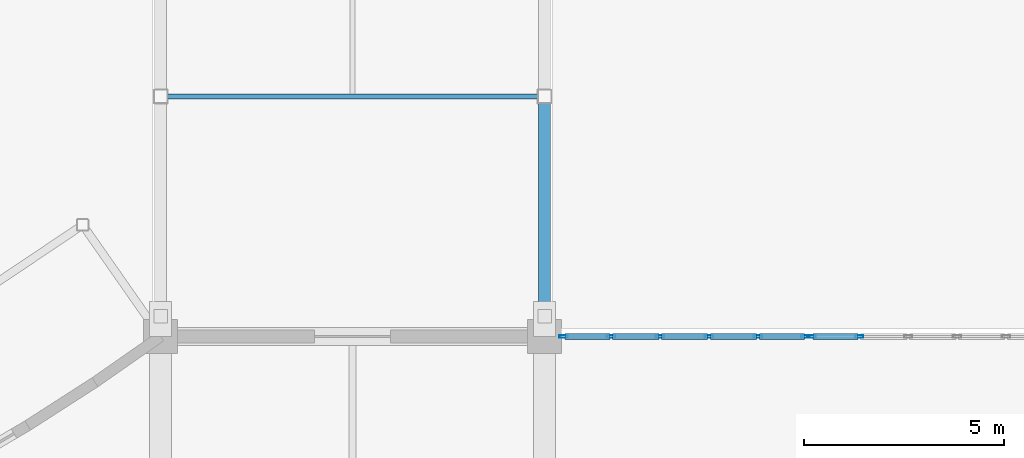
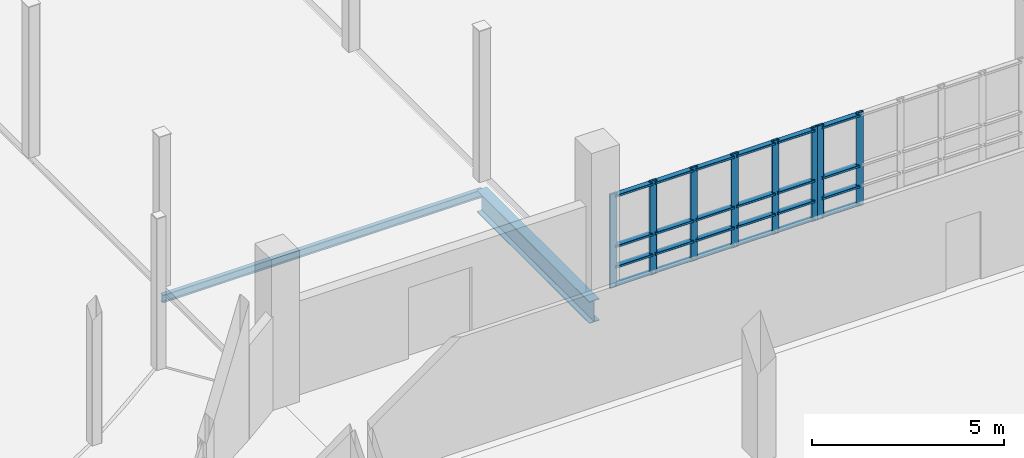
# One storey, part 36 of 97: 32 members, 2 beams, 2 elements without a shape of their own.
"""IFC4 building model written with IfcOpenShell, lengths in metres."""

from ifc_helpers import new_model, si_unit, direction, frame, origin, origin_2d, place, context, subcontext, project, spatial, hollow_rectangle, i_section, extrude, material, layer, layer_set, material_profile, profile_set, type_object, element, aggregate, save


model = new_model("IFC4")

# Units and contexts
model_context = context("Model", 3, precision=1e-05, world=origin(), true_north=direction((0.0, 1.0)))
body_context = subcontext(model_context, "Body", "Model", "MODEL_VIEW")
ifc_project = project(units=[si_unit("LENGTHUNIT", "METRE"), si_unit("AREAUNIT", "SQUARE_METRE"), si_unit("VOLUMEUNIT", "CUBIC_METRE"), si_unit("PLANEANGLEUNIT", "RADIAN"), si_unit("MASSUNIT", "GRAM", prefix="KILO")], contexts=[model_context])

# Site, building, storey
site_placement = place(None, origin())
site = spatial("IfcSite", under=ifc_project, at=site_placement, CompositionType="ELEMENT")
building_placement = place(site_placement, origin())
building = spatial("IfcBuilding", under=site, at=building_placement, Name="Kisaragi Civic Commons", CompositionType="ELEMENT")
storey_placement = place(building_placement, origin())
storey = spatial("IfcBuildingStorey", under=building, at=storey_placement, Name="L00", CompositionType="ELEMENT", Elevation=0.0)

# Curtain wall, members
ifc_material_1 = material(Name="Thermally broken anodized aluminium and low-E double glazing", Category="aluminium")
ifc_layer = layer(ifc_material_1, 0.2099609375, Name="Thermally broken anodized aluminium and low-E double glazing", Category="aluminium")
ifc_layer_set = layer_set([ifc_layer], Name="Thermally broken anodized aluminium and low-E double glazing")
curtain_wall_type = type_object("IfcCurtainWallType", Name="CW-02", PredefinedType="NOTDEFINED", material=ifc_layer_set)
curtain_wall_1_placement = place(storey_placement, origin())
curtain_wall_1 = element("IfcCurtainWall", 1, at=curtain_wall_1_placement, inside=storey, type_object=curtain_wall_type, Name="L00 curtain wall CW-02 CW-V3-L00-009", PredefinedType="NOTDEFINED")
ifc_material_profile_1 = material_profile(ifc_material_1, hollow_rectangle(XDim=0.070068359375, YDim=0.2099609375, WallThickness=0.0048828125, InnerFilletRadius=0.0048828125, OuterFilletRadius=0.010009765625, at=origin_2d()), Name="CWM-70x210x5", Category="aluminium")
ifc_profile_set_1 = profile_set([ifc_material_profile_1], Name="Thermally broken anodized aluminium and low-E double glazing")
member_type_1 = type_object("IfcMemberType", Name="CWM-03", PredefinedType="MULLION", material=ifc_profile_set_1)
member_1_placement = place(storey_placement, frame((133.675048828125, 25.199951171875, 0.0), z_axis=(0.0, 0.0, 1.0), x_axis=(0.0, 1.0, 0.0)))
member_1 = element("IfcMember", 2, at=member_1_placement, type_object=member_type_1, Name="CW-02 mullion 1", PredefinedType="MULLION", context=body_context, shape_type="SweptSolid", body=[
    extrude(hollow_rectangle(XDim=0.070068359375, YDim=0.2099609375, WallThickness=0.0048828125, InnerFilletRadius=0.0048828125, OuterFilletRadius=0.010009765625, at=origin_2d()), origin(), (0.0, 0.0, 1.0), 2.97998046875),
])
member_2_placement = place(storey_placement, frame((134.864013671875, 25.199951171875, 0.0), z_axis=(0.0, 0.0, 1.0), x_axis=(0.0, 1.0, 0.0)))
member_2 = element("IfcMember", 3, at=member_2_placement, type_object=member_type_1, Name="CW-02 mullion 2", PredefinedType="MULLION", context=body_context, shape_type="SweptSolid", body=[
    extrude(hollow_rectangle(XDim=0.070068359375, YDim=0.2099609375, WallThickness=0.0048828125, InnerFilletRadius=0.0048828125, OuterFilletRadius=0.010009765625, at=origin_2d()), origin(), (0.0, 0.0, 1.0), 2.97998046875),
])
member_3_placement = place(storey_placement, frame((136.087890625, 25.199951171875, 0.0), z_axis=(0.0, 0.0, 1.0), x_axis=(0.0, 1.0, 0.0)))
member_3 = element("IfcMember", 4, at=member_3_placement, type_object=member_type_1, Name="CW-02 mullion 3", PredefinedType="MULLION", context=body_context, shape_type="SweptSolid", body=[
    extrude(hollow_rectangle(XDim=0.070068359375, YDim=0.2099609375, WallThickness=0.0048828125, InnerFilletRadius=0.0048828125, OuterFilletRadius=0.010009765625, at=origin_2d()), origin(), (0.0, 0.0, 1.0), 2.97998046875),
])
member_4_placement = place(storey_placement, frame((137.31201171875, 25.199951171875, 0.0), z_axis=(0.0, 0.0, 1.0), x_axis=(0.0, 1.0, 0.0)))
member_4 = element("IfcMember", 5, at=member_4_placement, type_object=member_type_1, Name="CW-02 mullion 4", PredefinedType="MULLION", context=body_context, shape_type="SweptSolid", body=[
    extrude(hollow_rectangle(XDim=0.070068359375, YDim=0.2099609375, WallThickness=0.0048828125, InnerFilletRadius=0.0048828125, OuterFilletRadius=0.010009765625, at=origin_2d()), origin(), (0.0, 0.0, 1.0), 2.97998046875),
])
member_5_placement = place(storey_placement, frame((138.535888671875, 25.199951171875, 0.0), z_axis=(0.0, 0.0, 1.0), x_axis=(0.0, 1.0, 0.0)))
member_5 = element("IfcMember", 6, at=member_5_placement, type_object=member_type_1, Name="CW-02 mullion 5", PredefinedType="MULLION", context=body_context, shape_type="SweptSolid", body=[
    extrude(hollow_rectangle(XDim=0.070068359375, YDim=0.2099609375, WallThickness=0.0048828125, InnerFilletRadius=0.0048828125, OuterFilletRadius=0.010009765625, at=origin_2d()), origin(), (0.0, 0.0, 1.0), 2.97998046875),
])
member_6_placement = place(storey_placement, frame((139.72509765625, 25.199951171875, 0.0), z_axis=(0.0, 0.0, 1.0), x_axis=(0.0, 1.0, 0.0)))
member_6 = element("IfcMember", 7, at=member_6_placement, type_object=member_type_1, Name="CW-02 mullion 6", PredefinedType="MULLION", context=body_context, shape_type="SweptSolid", body=[
    extrude(hollow_rectangle(XDim=0.070068359375, YDim=0.2099609375, WallThickness=0.0048828125, InnerFilletRadius=0.0048828125, OuterFilletRadius=0.010009765625, at=origin_2d()), origin(), (0.0, 0.0, 1.0), 2.97998046875),
])

curtain_wall_2_placement = place(storey_placement, origin())
curtain_wall_2 = element("IfcCurtainWall", 8, at=curtain_wall_2_placement, inside=storey, type_object=curtain_wall_type, Name="L00 curtain wall CW-02 CW-V3-L00-010", PredefinedType="NOTDEFINED")
member_7_placement = place(storey_placement, frame((139.875, 25.199951171875, 0.0), z_axis=(0.0, 0.0, 1.0), x_axis=(0.0, 1.0, 0.0)))
member_7 = element("IfcMember", 9, at=member_7_placement, type_object=member_type_1, Name="CW-02 mullion 1", PredefinedType="MULLION", context=body_context, shape_type="SweptSolid", body=[
    extrude(hollow_rectangle(XDim=0.070068359375, YDim=0.2099609375, WallThickness=0.0048828125, InnerFilletRadius=0.0048828125, OuterFilletRadius=0.010009765625, at=origin_2d()), origin(), (0.0, 0.0, 1.0), 2.97998046875),
])
member_8_placement = place(storey_placement, frame((141.06396484375, 25.199951171875, 0.0), z_axis=(0.0, 0.0, 1.0), x_axis=(0.0, 1.0, 0.0)))
member_8 = element("IfcMember", 10, at=member_8_placement, type_object=member_type_1, Name="CW-02 mullion 2", PredefinedType="MULLION", context=body_context, shape_type="SweptSolid", body=[
    extrude(hollow_rectangle(XDim=0.070068359375, YDim=0.2099609375, WallThickness=0.0048828125, InnerFilletRadius=0.0048828125, OuterFilletRadius=0.010009765625, at=origin_2d()), origin(), (0.0, 0.0, 1.0), 2.97998046875),
])

# Member
ifc_material_profile_2 = material_profile(ifc_material_1, hollow_rectangle(XDim=0.159912109375, YDim=0.070068359375, WallThickness=0.0048828125, InnerFilletRadius=0.0048828125, OuterFilletRadius=0.010009765625, at=origin_2d()), Name="CWT-70x160x5", Category="aluminium")
ifc_profile_set_2 = profile_set([ifc_material_profile_2], Name="Thermally broken anodized aluminium and low-E double glazing")
member_type_2 = type_object("IfcMemberType", Name="CWT-03", PredefinedType="USERDEFINED", material=ifc_profile_set_2)
member_9_placement = place(storey_placement, frame((133.7099609375, 25.199951171875, 0.080078125), z_axis=(1.0, 0.0, 0.0), x_axis=(0.0, 1.0, 0.0)))
member_9 = element("IfcMember", 11, at=member_9_placement, type_object=member_type_2, Name="CW-02 transom 1.1", ObjectType="TRANSOM", PredefinedType="USERDEFINED", context=body_context, shape_type="SweptSolid", body=[
    extrude(hollow_rectangle(XDim=0.159912109375, YDim=0.070068359375, WallThickness=0.0048828125, InnerFilletRadius=0.0048828125, OuterFilletRadius=0.010009765625, at=origin_2d()), origin(), (0.0, 0.0, 1.0), 1.119140625),
])

member_10_placement = place(storey_placement, frame((133.7099609375, 25.199951171875, 0.64990234375), z_axis=(1.0, 0.0, 0.0), x_axis=(0.0, 1.0, 0.0)))
member_10 = element("IfcMember", 12, at=member_10_placement, type_object=member_type_2, Name="CW-02 transom 1.2", ObjectType="TRANSOM", PredefinedType="USERDEFINED", context=body_context, shape_type="SweptSolid", body=[
    extrude(hollow_rectangle(XDim=0.159912109375, YDim=0.070068359375, WallThickness=0.0048828125, InnerFilletRadius=0.0048828125, OuterFilletRadius=0.010009765625, at=origin_2d()), origin(), (0.0, 0.0, 1.0), 1.119140625),
])

member_11_placement = place(storey_placement, frame((133.7099609375, 25.199951171875, 1.300048828125), z_axis=(1.0, 0.0, 0.0), x_axis=(0.0, 1.0, 0.0)))
member_11 = element("IfcMember", 13, at=member_11_placement, type_object=member_type_2, Name="CW-02 transom 1.3", ObjectType="TRANSOM", PredefinedType="USERDEFINED", context=body_context, shape_type="SweptSolid", body=[
    extrude(hollow_rectangle(XDim=0.159912109375, YDim=0.070068359375, WallThickness=0.0048828125, InnerFilletRadius=0.0048828125, OuterFilletRadius=0.010009765625, at=origin_2d()), origin(), (0.0, 0.0, 1.0), 1.119140625),
])

member_12_placement = place(storey_placement, frame((133.7099609375, 25.199951171875, 2.89990234375), z_axis=(1.0, 0.0, 0.0), x_axis=(0.0, 1.0, 0.0)))
member_12 = element("IfcMember", 14, at=member_12_placement, type_object=member_type_2, Name="CW-02 transom 1.4", ObjectType="TRANSOM", PredefinedType="USERDEFINED", context=body_context, shape_type="SweptSolid", body=[
    extrude(hollow_rectangle(XDim=0.159912109375, YDim=0.070068359375, WallThickness=0.0048828125, InnerFilletRadius=0.0048828125, OuterFilletRadius=0.010009765625, at=origin_2d()), origin(), (0.0, 0.0, 1.0), 1.119140625),
])

member_13_placement = place(storey_placement, frame((134.89892578125, 25.199951171875, 0.080078125), z_axis=(1.0, 0.0, 0.0), x_axis=(0.0, 1.0, 0.0)))
member_13 = element("IfcMember", 15, at=member_13_placement, type_object=member_type_2, Name="CW-02 transom 2.1", ObjectType="TRANSOM", PredefinedType="USERDEFINED", context=body_context, shape_type="SweptSolid", body=[
    extrude(hollow_rectangle(XDim=0.159912109375, YDim=0.070068359375, WallThickness=0.0048828125, InnerFilletRadius=0.0048828125, OuterFilletRadius=0.010009765625, at=origin_2d()), origin(), (0.0, 0.0, 1.0), 1.154052734375),
])

member_14_placement = place(storey_placement, frame((134.89892578125, 25.199951171875, 0.64990234375), z_axis=(1.0, 0.0, 0.0), x_axis=(0.0, 1.0, 0.0)))
member_14 = element("IfcMember", 16, at=member_14_placement, type_object=member_type_2, Name="CW-02 transom 2.2", ObjectType="TRANSOM", PredefinedType="USERDEFINED", context=body_context, shape_type="SweptSolid", body=[
    extrude(hollow_rectangle(XDim=0.159912109375, YDim=0.070068359375, WallThickness=0.0048828125, InnerFilletRadius=0.0048828125, OuterFilletRadius=0.010009765625, at=origin_2d()), origin(), (0.0, 0.0, 1.0), 1.154052734375),
])

member_15_placement = place(storey_placement, frame((134.89892578125, 25.199951171875, 1.300048828125), z_axis=(1.0, 0.0, 0.0), x_axis=(0.0, 1.0, 0.0)))
member_15 = element("IfcMember", 17, at=member_15_placement, type_object=member_type_2, Name="CW-02 transom 2.3", ObjectType="TRANSOM", PredefinedType="USERDEFINED", context=body_context, shape_type="SweptSolid", body=[
    extrude(hollow_rectangle(XDim=0.159912109375, YDim=0.070068359375, WallThickness=0.0048828125, InnerFilletRadius=0.0048828125, OuterFilletRadius=0.010009765625, at=origin_2d()), origin(), (0.0, 0.0, 1.0), 1.154052734375),
])

member_16_placement = place(storey_placement, frame((134.89892578125, 25.199951171875, 2.89990234375), z_axis=(1.0, 0.0, 0.0), x_axis=(0.0, 1.0, 0.0)))
member_16 = element("IfcMember", 18, at=member_16_placement, type_object=member_type_2, Name="CW-02 transom 2.4", ObjectType="TRANSOM", PredefinedType="USERDEFINED", context=body_context, shape_type="SweptSolid", body=[
    extrude(hollow_rectangle(XDim=0.159912109375, YDim=0.070068359375, WallThickness=0.0048828125, InnerFilletRadius=0.0048828125, OuterFilletRadius=0.010009765625, at=origin_2d()), origin(), (0.0, 0.0, 1.0), 1.154052734375),
])

member_17_placement = place(storey_placement, frame((136.123046875, 25.199951171875, 0.080078125), z_axis=(1.0, 0.0, 0.0), x_axis=(0.0, 1.0, 0.0)))
member_17 = element("IfcMember", 19, at=member_17_placement, type_object=member_type_2, Name="CW-02 transom 3.1", ObjectType="TRANSOM", PredefinedType="USERDEFINED", context=body_context, shape_type="SweptSolid", body=[
    extrude(hollow_rectangle(XDim=0.159912109375, YDim=0.070068359375, WallThickness=0.0048828125, InnerFilletRadius=0.0048828125, OuterFilletRadius=0.010009765625, at=origin_2d()), origin(), (0.0, 0.0, 1.0), 1.154052734375),
])

member_18_placement = place(storey_placement, frame((136.123046875, 25.199951171875, 0.64990234375), z_axis=(1.0, 0.0, 0.0), x_axis=(0.0, 1.0, 0.0)))
member_18 = element("IfcMember", 20, at=member_18_placement, type_object=member_type_2, Name="CW-02 transom 3.2", ObjectType="TRANSOM", PredefinedType="USERDEFINED", context=body_context, shape_type="SweptSolid", body=[
    extrude(hollow_rectangle(XDim=0.159912109375, YDim=0.070068359375, WallThickness=0.0048828125, InnerFilletRadius=0.0048828125, OuterFilletRadius=0.010009765625, at=origin_2d()), origin(), (0.0, 0.0, 1.0), 1.154052734375),
])

member_19_placement = place(storey_placement, frame((136.123046875, 25.199951171875, 1.300048828125), z_axis=(1.0, 0.0, 0.0), x_axis=(0.0, 1.0, 0.0)))
member_19 = element("IfcMember", 21, at=member_19_placement, type_object=member_type_2, Name="CW-02 transom 3.3", ObjectType="TRANSOM", PredefinedType="USERDEFINED", context=body_context, shape_type="SweptSolid", body=[
    extrude(hollow_rectangle(XDim=0.159912109375, YDim=0.070068359375, WallThickness=0.0048828125, InnerFilletRadius=0.0048828125, OuterFilletRadius=0.010009765625, at=origin_2d()), origin(), (0.0, 0.0, 1.0), 1.154052734375),
])

member_20_placement = place(storey_placement, frame((136.123046875, 25.199951171875, 2.89990234375), z_axis=(1.0, 0.0, 0.0), x_axis=(0.0, 1.0, 0.0)))
member_20 = element("IfcMember", 22, at=member_20_placement, type_object=member_type_2, Name="CW-02 transom 3.4", ObjectType="TRANSOM", PredefinedType="USERDEFINED", context=body_context, shape_type="SweptSolid", body=[
    extrude(hollow_rectangle(XDim=0.159912109375, YDim=0.070068359375, WallThickness=0.0048828125, InnerFilletRadius=0.0048828125, OuterFilletRadius=0.010009765625, at=origin_2d()), origin(), (0.0, 0.0, 1.0), 1.154052734375),
])

member_21_placement = place(storey_placement, frame((137.346923828125, 25.199951171875, 0.080078125), z_axis=(1.0, 0.0, 0.0), x_axis=(0.0, 1.0, 0.0)))
member_21 = element("IfcMember", 23, at=member_21_placement, type_object=member_type_2, Name="CW-02 transom 4.1", ObjectType="TRANSOM", PredefinedType="USERDEFINED", context=body_context, shape_type="SweptSolid", body=[
    extrude(hollow_rectangle(XDim=0.159912109375, YDim=0.070068359375, WallThickness=0.0048828125, InnerFilletRadius=0.0048828125, OuterFilletRadius=0.010009765625, at=origin_2d()), origin(), (0.0, 0.0, 1.0), 1.154052734375),
])

member_22_placement = place(storey_placement, frame((137.346923828125, 25.199951171875, 0.64990234375), z_axis=(1.0, 0.0, 0.0), x_axis=(0.0, 1.0, 0.0)))
member_22 = element("IfcMember", 24, at=member_22_placement, type_object=member_type_2, Name="CW-02 transom 4.2", ObjectType="TRANSOM", PredefinedType="USERDEFINED", context=body_context, shape_type="SweptSolid", body=[
    extrude(hollow_rectangle(XDim=0.159912109375, YDim=0.070068359375, WallThickness=0.0048828125, InnerFilletRadius=0.0048828125, OuterFilletRadius=0.010009765625, at=origin_2d()), origin(), (0.0, 0.0, 1.0), 1.154052734375),
])

member_23_placement = place(storey_placement, frame((137.346923828125, 25.199951171875, 1.300048828125), z_axis=(1.0, 0.0, 0.0), x_axis=(0.0, 1.0, 0.0)))
member_23 = element("IfcMember", 25, at=member_23_placement, type_object=member_type_2, Name="CW-02 transom 4.3", ObjectType="TRANSOM", PredefinedType="USERDEFINED", context=body_context, shape_type="SweptSolid", body=[
    extrude(hollow_rectangle(XDim=0.159912109375, YDim=0.070068359375, WallThickness=0.0048828125, InnerFilletRadius=0.0048828125, OuterFilletRadius=0.010009765625, at=origin_2d()), origin(), (0.0, 0.0, 1.0), 1.154052734375),
])

member_24_placement = place(storey_placement, frame((137.346923828125, 25.199951171875, 2.89990234375), z_axis=(1.0, 0.0, 0.0), x_axis=(0.0, 1.0, 0.0)))
member_24 = element("IfcMember", 26, at=member_24_placement, type_object=member_type_2, Name="CW-02 transom 4.4", ObjectType="TRANSOM", PredefinedType="USERDEFINED", context=body_context, shape_type="SweptSolid", body=[
    extrude(hollow_rectangle(XDim=0.159912109375, YDim=0.070068359375, WallThickness=0.0048828125, InnerFilletRadius=0.0048828125, OuterFilletRadius=0.010009765625, at=origin_2d()), origin(), (0.0, 0.0, 1.0), 1.154052734375),
])

member_25_placement = place(storey_placement, frame((138.571044921875, 25.199951171875, 0.080078125), z_axis=(1.0, 0.0, 0.0), x_axis=(0.0, 1.0, 0.0)))
member_25 = element("IfcMember", 27, at=member_25_placement, type_object=member_type_2, Name="CW-02 transom 5.1", ObjectType="TRANSOM", PredefinedType="USERDEFINED", context=body_context, shape_type="SweptSolid", body=[
    extrude(hollow_rectangle(XDim=0.159912109375, YDim=0.070068359375, WallThickness=0.0048828125, InnerFilletRadius=0.0048828125, OuterFilletRadius=0.010009765625, at=origin_2d()), origin(), (0.0, 0.0, 1.0), 1.118896484375),
])

member_26_placement = place(storey_placement, frame((138.571044921875, 25.199951171875, 0.64990234375), z_axis=(1.0, 0.0, 0.0), x_axis=(0.0, 1.0, 0.0)))
member_26 = element("IfcMember", 28, at=member_26_placement, type_object=member_type_2, Name="CW-02 transom 5.2", ObjectType="TRANSOM", PredefinedType="USERDEFINED", context=body_context, shape_type="SweptSolid", body=[
    extrude(hollow_rectangle(XDim=0.159912109375, YDim=0.070068359375, WallThickness=0.0048828125, InnerFilletRadius=0.0048828125, OuterFilletRadius=0.010009765625, at=origin_2d()), origin(), (0.0, 0.0, 1.0), 1.118896484375),
])

member_27_placement = place(storey_placement, frame((138.571044921875, 25.199951171875, 1.300048828125), z_axis=(1.0, 0.0, 0.0), x_axis=(0.0, 1.0, 0.0)))
member_27 = element("IfcMember", 29, at=member_27_placement, type_object=member_type_2, Name="CW-02 transom 5.3", ObjectType="TRANSOM", PredefinedType="USERDEFINED", context=body_context, shape_type="SweptSolid", body=[
    extrude(hollow_rectangle(XDim=0.159912109375, YDim=0.070068359375, WallThickness=0.0048828125, InnerFilletRadius=0.0048828125, OuterFilletRadius=0.010009765625, at=origin_2d()), origin(), (0.0, 0.0, 1.0), 1.118896484375),
])

member_28_placement = place(storey_placement, frame((138.571044921875, 25.199951171875, 2.89990234375), z_axis=(1.0, 0.0, 0.0), x_axis=(0.0, 1.0, 0.0)))
member_28 = element("IfcMember", 30, at=member_28_placement, type_object=member_type_2, Name="CW-02 transom 5.4", ObjectType="TRANSOM", PredefinedType="USERDEFINED", context=body_context, shape_type="SweptSolid", body=[
    extrude(hollow_rectangle(XDim=0.159912109375, YDim=0.070068359375, WallThickness=0.0048828125, InnerFilletRadius=0.0048828125, OuterFilletRadius=0.010009765625, at=origin_2d()), origin(), (0.0, 0.0, 1.0), 1.118896484375),
])

aggregate(curtain_wall_1, [member_1, member_2, member_3, member_4, member_5, member_6, member_9, member_10, member_11, member_12, member_13, member_14, member_15, member_16, member_17, member_18, member_19, member_20, member_21, member_22, member_23, member_24, member_25, member_26, member_27, member_28])

member_29_placement = place(storey_placement, frame((139.909912109375, 25.199951171875, 0.080078125), z_axis=(1.0, 0.0, 0.0), x_axis=(0.0, 1.0, 0.0)))
member_29 = element("IfcMember", 31, at=member_29_placement, type_object=member_type_2, Name="CW-02 transom 1.1", ObjectType="TRANSOM", PredefinedType="USERDEFINED", context=body_context, shape_type="SweptSolid", body=[
    extrude(hollow_rectangle(XDim=0.159912109375, YDim=0.070068359375, WallThickness=0.0048828125, InnerFilletRadius=0.0048828125, OuterFilletRadius=0.010009765625, at=origin_2d()), origin(), (0.0, 0.0, 1.0), 1.119140625),
])

member_30_placement = place(storey_placement, frame((139.909912109375, 25.199951171875, 0.64990234375), z_axis=(1.0, 0.0, 0.0), x_axis=(0.0, 1.0, 0.0)))
member_30 = element("IfcMember", 32, at=member_30_placement, type_object=member_type_2, Name="CW-02 transom 1.2", ObjectType="TRANSOM", PredefinedType="USERDEFINED", context=body_context, shape_type="SweptSolid", body=[
    extrude(hollow_rectangle(XDim=0.159912109375, YDim=0.070068359375, WallThickness=0.0048828125, InnerFilletRadius=0.0048828125, OuterFilletRadius=0.010009765625, at=origin_2d()), origin(), (0.0, 0.0, 1.0), 1.119140625),
])

member_31_placement = place(storey_placement, frame((139.909912109375, 25.199951171875, 1.300048828125), z_axis=(1.0, 0.0, 0.0), x_axis=(0.0, 1.0, 0.0)))
member_31 = element("IfcMember", 33, at=member_31_placement, type_object=member_type_2, Name="CW-02 transom 1.3", ObjectType="TRANSOM", PredefinedType="USERDEFINED", context=body_context, shape_type="SweptSolid", body=[
    extrude(hollow_rectangle(XDim=0.159912109375, YDim=0.070068359375, WallThickness=0.0048828125, InnerFilletRadius=0.0048828125, OuterFilletRadius=0.010009765625, at=origin_2d()), origin(), (0.0, 0.0, 1.0), 1.119140625),
])

member_32_placement = place(storey_placement, frame((139.909912109375, 25.199951171875, 2.89990234375), z_axis=(1.0, 0.0, 0.0), x_axis=(0.0, 1.0, 0.0)))
member_32 = element("IfcMember", 34, at=member_32_placement, type_object=member_type_2, Name="CW-02 transom 1.4", ObjectType="TRANSOM", PredefinedType="USERDEFINED", context=body_context, shape_type="SweptSolid", body=[
    extrude(hollow_rectangle(XDim=0.159912109375, YDim=0.070068359375, WallThickness=0.0048828125, InnerFilletRadius=0.0048828125, OuterFilletRadius=0.010009765625, at=origin_2d()), origin(), (0.0, 0.0, 1.0), 1.119140625),
])

aggregate(curtain_wall_2, [member_7, member_8, member_29, member_30, member_31, member_32])

# Beams
ifc_material_2 = material(Name="Steel SN490 (SN490B)", Category="steel")
ifc_material_profile_3 = material_profile(ifc_material_2, i_section(OverallWidth=0.300048828125, OverallDepth=0.699951171875, WebThickness=0.012939453125, FlangeThickness=0.02392578125, FilletRadius=0.01806640625, at=origin_2d()), Name="H-700x300x13x24", Category="steel")
ifc_profile_set_3 = profile_set([ifc_material_profile_3], Name="Steel SN490 (SN490B)")
beam_type_1 = type_object("IfcBeamType", Name="G-09", PredefinedType="BEAM", material=ifc_profile_set_3)
beam_1_placement = place(storey_placement, frame((133.199951171875, 31.199951171875, -0.68994140625), z_axis=(0.0, -1.0, 0.0), x_axis=(1.0, 0.0, 0.0)))
element("IfcBeam", 35, at=beam_1_placement, inside=storey, type_object=beam_type_1, Name="BR-V4-V3 L00 bridge girder 111", PredefinedType="BEAM", context=body_context, shape_type="SweptSolid", body=[
    extrude(i_section(OverallWidth=0.300048828125, OverallDepth=0.699951171875, WebThickness=0.012939453125, FlangeThickness=0.02392578125, FilletRadius=0.01806640625, at=origin_2d()), origin(), (0.0, 0.0, 1.0), 5.849853515625),
])
ifc_material_3 = material(Name="Steel SN400 (SN400B)", Category="steel")
ifc_material_profile_4 = material_profile(ifc_material_3, i_section(OverallWidth=0.125, OverallDepth=0.25, WebThickness=0.006103515625, FlangeThickness=0.009033203125, FilletRadius=0.008056640625, at=origin_2d()), Name="H-250x125x6x9", Category="steel")
ifc_profile_set_4 = profile_set([ifc_material_profile_4], Name="Steel SN400 (SN400B)")
beam_type_2 = type_object("IfcBeamType", Name="J-05", PredefinedType="JOIST", material=ifc_profile_set_4)
beam_2_placement = place(storey_placement, frame((123.60009765625, 31.199951171875, -0.465087890625), z_axis=(1.0, 0.0, 0.0), x_axis=(0.0, 1.0, 0.0)))
element("IfcBeam", 36, at=beam_2_placement, inside=storey, type_object=beam_type_2, Name="BR-V4-V3 L00 cross joist 121", PredefinedType="JOIST", context=body_context, shape_type="SweptSolid", body=[
    extrude(i_section(OverallWidth=0.125, OverallDepth=0.25, WebThickness=0.006103515625, FlangeThickness=0.009033203125, FilletRadius=0.008056640625, at=origin_2d()), origin(), (0.0, 0.0, 1.0), 9.599853515625),
])

save(model, "model.ifc")
